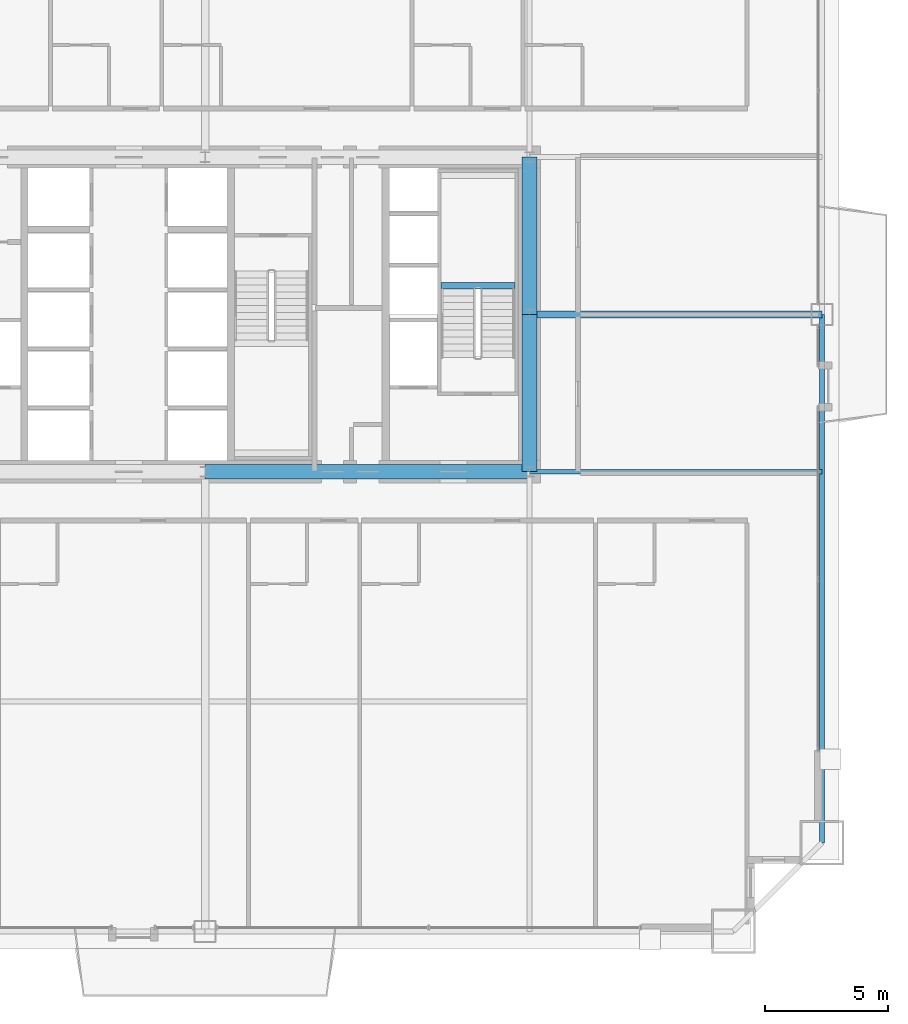
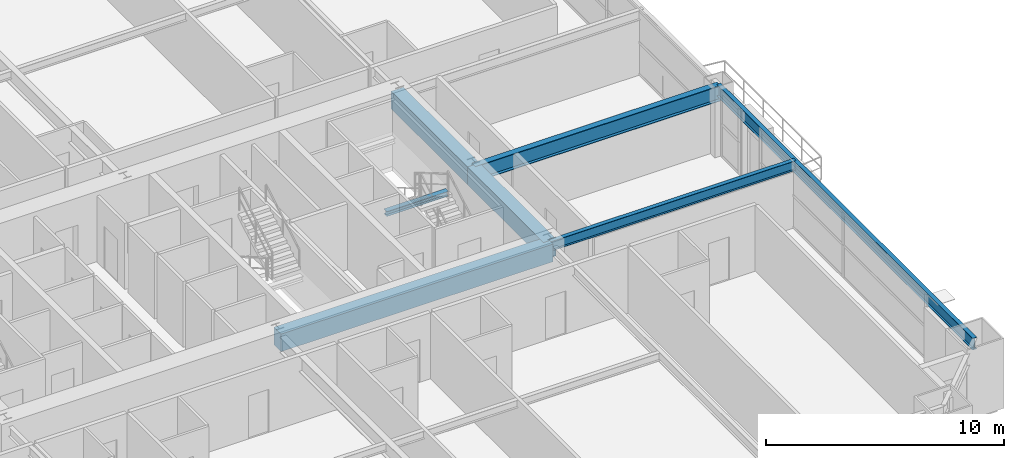
# One storey, part 19 of 43: 7 beams.
"""IFC4 building model written with IfcOpenShell, lengths in metres."""

from ifc_helpers import new_model, si_unit, direction, frame, origin, origin_2d, place, context, subcontext, project, spatial, rectangle, i_section, extrude, source, transform, mapped, material, material_profile, profile_set, type_object, element, save


model = new_model("IFC4")

# Units and contexts
model_context = context("Model", 3, precision=1e-05, world=origin(), true_north=direction((0.0, 1.0)))
body_context = subcontext(model_context, "Body", "Model", "MODEL_VIEW")
ifc_project = project(units=[si_unit("LENGTHUNIT", "METRE"), si_unit("AREAUNIT", "SQUARE_METRE"), si_unit("VOLUMEUNIT", "CUBIC_METRE"), si_unit("PLANEANGLEUNIT", "RADIAN"), si_unit("MASSUNIT", "GRAM", prefix="KILO"), si_unit("THERMODYNAMICTEMPERATUREUNIT", "KELVIN"), si_unit("POWERUNIT", "WATT")], contexts=[model_context])

# Site, building, storey
site_placement = place(None, origin())
site = spatial("IfcSite", under=ifc_project, at=site_placement, CompositionType="ELEMENT")
building_placement = place(site_placement, origin())
building = spatial("IfcBuilding", under=site, at=building_placement, Name="Yuzanri Waterfront Tower", CompositionType="ELEMENT")
storey_placement = place(building_placement, frame((0.0, 0.0, 71.199951171875)))
storey = spatial("IfcBuildingStorey", under=building, at=storey_placement, Name="L18", CompositionType="ELEMENT", Elevation=71.199951171875)

# Beams
ifc_material_1 = material(Name="Concrete C60", Category="concrete")
ifc_material_profile_1 = material_profile(ifc_material_1, rectangle(XDim=0.60009765625, YDim=0.89990234375, at=origin_2d()), Name="RC 600x900")
ifc_profile_set_1 = profile_set([ifc_material_profile_1], Name="Concrete C60")
beam_type_1 = type_object("IfcBeamType", Name="Core Coupling Lintel Concrete C60 600x900", PredefinedType="LINTEL", material=ifc_profile_set_1)
shared_shape_1 = source(origin(), body_context, "Body", "SweptSolid", [
    extrude(rectangle(XDim=0.60009765625, YDim=0.89990234375, at=origin_2d()), origin(), (0.0, 0.0, 1.0), 13.199951171875),
])
beam_1_placement = place(storey_placement, frame((37.0, 19.39990234375, 2.929931640625), z_axis=(1.0, 0.0, 0.0), x_axis=(0.0, 1.0, 0.0)))
element("IfcBeam", 1, at=beam_1_placement, inside=storey, type_object=beam_type_1, Name="L18 Core Tie Beam CS2", PredefinedType="LINTEL", context=body_context, shape_type="MappedRepresentation", body=[
    mapped(shared_shape_1, transform((0.0, 0.0, 0.0), scale=1.0)),
])
shared_shape_2 = source(origin(), body_context, "Body", "SweptSolid", [
    extrude(rectangle(XDim=0.60009765625, YDim=0.89990234375, at=origin_2d()), origin(), (0.0, 0.0, 1.0), 6.400146484375),
])
beam_2_placement = place(storey_placement, frame((50.199951171875, 19.39990234375, 2.929931640625), z_axis=(0.0, 1.0, 0.0), x_axis=(-1.0, 0.0, 0.0)))
element("IfcBeam", 2, at=beam_2_placement, inside=storey, type_object=beam_type_1, Name="L18 Core Tie Beam CE1", PredefinedType="LINTEL", context=body_context, shape_type="MappedRepresentation", body=[
    mapped(shared_shape_2, transform((0.0, 0.0, 0.0), scale=1.0)),
])
shared_shape_3 = source(origin(), body_context, "Body", "SweptSolid", [
    extrude(rectangle(XDim=0.60009765625, YDim=0.89990234375, at=origin_2d()), origin(), (0.0, 0.0, 1.0), 6.39990234375),
])
beam_3_placement = place(storey_placement, frame((50.199951171875, 25.800048828125, 2.929931640625), z_axis=(0.0, 1.0, 0.0), x_axis=(-1.0, 0.0, 0.0)))
element("IfcBeam", 3, at=beam_3_placement, inside=storey, type_object=beam_type_1, Name="L18 Core Tie Beam CE2", PredefinedType="LINTEL", context=body_context, shape_type="MappedRepresentation", body=[
    mapped(shared_shape_3, transform((0.0, 0.0, 0.0), scale=1.0)),
])
ifc_material_2 = material(Name="Steel Q355B", Category="steel")
ifc_material_profile_2 = material_profile(ifc_material_2, i_section(OverallWidth=0.199951171875, OverallDepth=0.60009765625, WebThickness=0.010986328125, FlangeThickness=0.01708984375, at=origin_2d()), Name="HN 600x200x11x17")
ifc_profile_set_2 = profile_set([ifc_material_profile_2], Name="Steel Q355B")
beam_type_2 = type_object("IfcBeamType", Name="Perimeter Spandrel Q355B HN 600x200", PredefinedType="SPANDREL", material=ifc_profile_set_2)
shared_shape_4 = source(origin(), body_context, "Body", "SweptSolid", [
    extrude(i_section(OverallWidth=0.199951171875, OverallDepth=0.60009765625, WebThickness=0.010986328125, FlangeThickness=0.01708984375, at=origin_2d()), origin(), (0.0, 0.0, 1.0), 21.5),
])
beam_4_placement = place(storey_placement, frame((62.10009765625, 4.300048828125, 3.080078125), z_axis=(0.0, 1.0, 0.0), x_axis=(-1.0, 0.0, 0.0)))
element("IfcBeam", 4, at=beam_4_placement, inside=storey, type_object=beam_type_2, Name="L18 Perimeter Spandrel E1-E2", PredefinedType="SPANDREL", context=body_context, shape_type="MappedRepresentation", body=[
    mapped(shared_shape_4, transform((0.0, 0.0, 0.0), scale=1.0)),
])
ifc_material_3 = material(Name="Steel Q355B", Category="steel")
ifc_material_profile_3 = material_profile(ifc_material_3, i_section(OverallWidth=0.300048828125, OverallDepth=0.800048828125, WebThickness=0.013916015625, FlangeThickness=0.02587890625, at=origin_2d()), Name="HN 800x300x14x26")
ifc_profile_set_3 = profile_set([ifc_material_profile_3], Name="Steel Q355B")
beam_type_3 = type_object("IfcBeamType", Name="Primary Floor Girder Q355B HN 800x300", PredefinedType="BEAM", material=ifc_profile_set_3)
shared_shape_5 = source(origin(), body_context, "Body", "SweptSolid", [
    extrude(i_section(OverallWidth=0.300048828125, OverallDepth=0.800048828125, WebThickness=0.013916015625, FlangeThickness=0.02587890625, at=origin_2d()), origin(), (0.0, 0.0, 1.0), 11.900146484375),
])
beam_5_placement = place(storey_placement, frame((50.199951171875, 25.800048828125, 2.97998046875), z_axis=(1.0, 0.0, 0.0), x_axis=(0.0, 1.0, 0.0)))
element("IfcBeam", 5, at=beam_5_placement, inside=storey, type_object=beam_type_3, Name="L18 East Grid Girder", PredefinedType="BEAM", context=body_context, shape_type="MappedRepresentation", body=[
    mapped(shared_shape_5, transform((0.0, 0.0, 0.0), scale=1.0)),
])
ifc_material_4 = material(Name="Steel Q355B", Category="steel")
ifc_material_profile_4 = material_profile(ifc_material_4, i_section(OverallWidth=0.199951171875, OverallDepth=0.5, WebThickness=0.010009765625, FlangeThickness=0.01611328125, at=origin_2d()), Name="HN 500x200x10x16")
ifc_profile_set_4 = profile_set([ifc_material_profile_4], Name="Steel Q355B")
beam_type_4 = type_object("IfcBeamType", Name="Secondary Floor Beam Q355B HN 500x200", PredefinedType="BEAM", material=ifc_profile_set_4)
shared_shape_6 = source(origin(), body_context, "Body", "SweptSolid", [
    extrude(i_section(OverallWidth=0.199951171875, OverallDepth=0.5, WebThickness=0.010009765625, FlangeThickness=0.01611328125, at=origin_2d()), origin(), (0.0, 0.0, 1.0), 11.900146484375),
])
beam_6_placement = place(storey_placement, frame((50.199951171875, 19.39990234375, 3.130126953125), z_axis=(1.0, 0.0, 0.0), x_axis=(0.0, 1.0, 0.0)))
element("IfcBeam", 6, at=beam_6_placement, inside=storey, type_object=beam_type_4, Name="L18 East-South Core Line Beam", PredefinedType="BEAM", context=body_context, shape_type="MappedRepresentation", body=[
    mapped(shared_shape_6, transform((0.0, 0.0, 0.0), scale=1.0)),
])
ifc_material_5 = material(Name="Steel Q355B", Category="steel")
ifc_material_profile_5 = material_profile(ifc_material_5, i_section(OverallWidth=0.25, OverallDepth=0.25, WebThickness=0.009033203125, FlangeThickness=0.013916015625, at=origin_2d()), Name="HW 250x250x9x14")
ifc_profile_set_5 = profile_set([ifc_material_profile_5], Name="Steel Q355B")
beam_type_5 = type_object("IfcBeamType", Name="Stair Landing Support Beam Q355B HW 250x250", PredefinedType="BEAM", material=ifc_profile_set_5)
shared_shape_7 = source(origin(), body_context, "Body", "SweptSolid", [
    extrude(i_section(OverallWidth=0.25, OverallDepth=0.25, WebThickness=0.009033203125, FlangeThickness=0.013916015625, at=origin_2d()), origin(), (0.0, 0.0, 1.0), 3.0),
])
beam_7_placement = place(storey_placement, frame((46.60009765625, 26.969970703125, 1.47509765625), z_axis=(1.0, 0.0, 0.0), x_axis=(0.0, 1.0, 0.0)))
element("IfcBeam", 7, at=beam_7_placement, inside=storey, type_object=beam_type_5, Name="L18 Stair Landing Support Beam ST-02-L18-L1-1", PredefinedType="BEAM", context=body_context, shape_type="MappedRepresentation", body=[
    mapped(shared_shape_7, transform((0.0, 0.0, 0.0), scale=1.0)),
])

save(model, "model.ifc")
